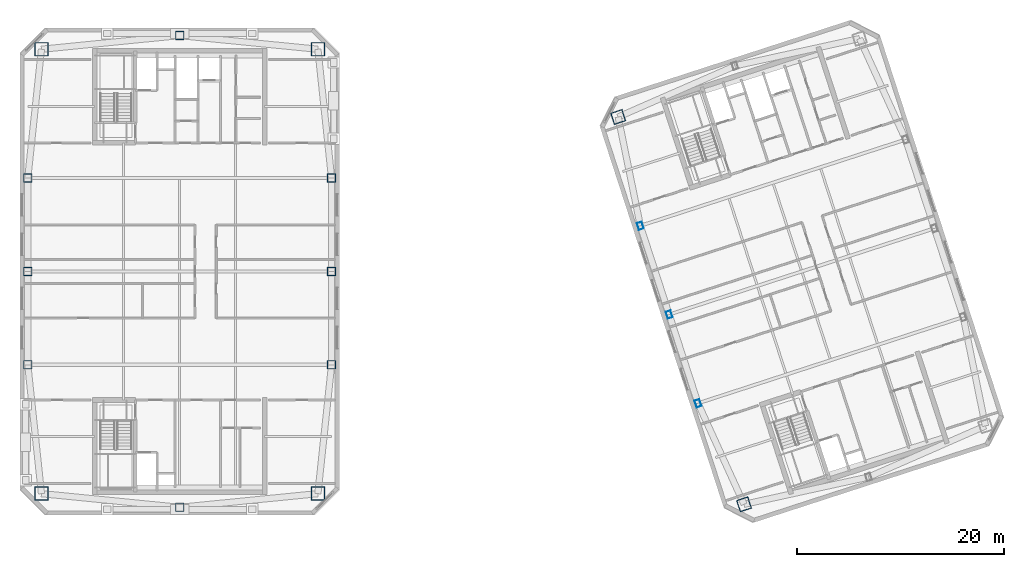
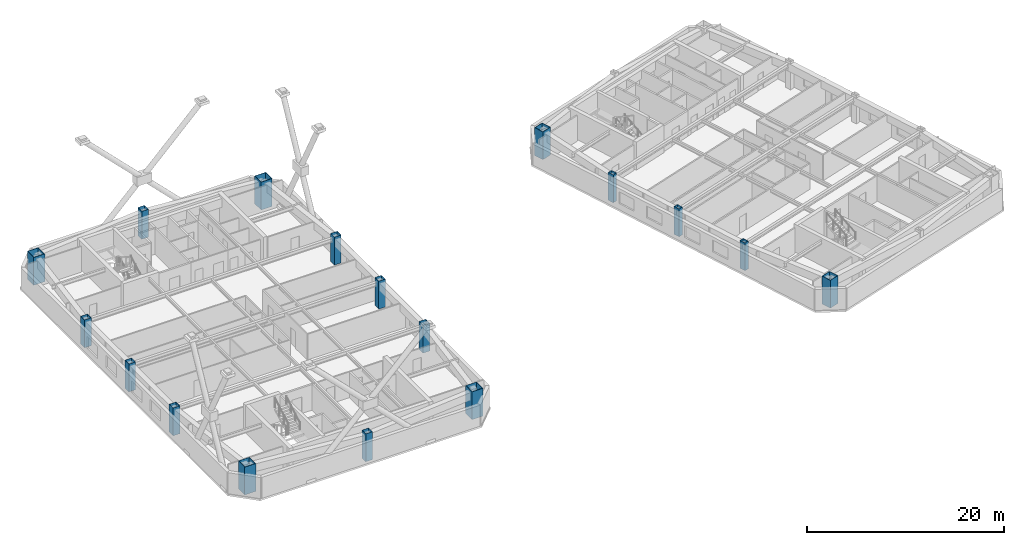
# One storey, part 1 of 20: 17 columns.
"""IFC4 building model written with IfcOpenShell, lengths in metres."""

import ifcopenshell
import ifcopenshell.guid

model = None  # the IFC model being written
_history = None  # IfcOwnerHistory: only IFC2X3 demands one
_inside = {}  # id of a spatial element -> (the spatial element, [elements in it])
_under = {}  # id of a project, library or spatial element -> (it, [spatial elements below it])
_declared = {}  # id of a project -> (the project, [libraries it declares])
_typed = {}  # id of a type object -> (the type object, [elements of that type])
_made_of = {}  # id of a material, layer set ... -> (it, [elements and type objects made of it])


def new_model(schema):
    """Start an empty IFC model of exactly this schema.

    Asked for "IFC4X3", IfcOpenShell would pick the latest addendum, in which some entities
    have other attributes; the version numbers below select the first issue.
    IFC2X3 requires an IfcOwnerHistory on every rooted entity: one is made here for all.
    """
    global model, _history
    if schema == "IFC4X3":
        model = ifcopenshell.file(schema_version=(4, 3, 0, 0))
    else:
        model = ifcopenshell.file(schema=schema)
    _inside.clear()
    _under.clear()
    _declared.clear()
    _typed.clear()
    _made_of.clear()
    _history = None
    if model.schema == "IFC2X3":
        org = make("IfcOrganization", Name="unknown")
        user = make(
            "IfcPersonAndOrganization",
            ThePerson=make("IfcPerson", FamilyName="unknown"),
            TheOrganization=org,
        )
        app = make(
            "IfcApplication",
            ApplicationDeveloper=org,
            Version="unknown",
            ApplicationFullName="unknown",
            ApplicationIdentifier="unknown",
        )
        _history = make(
            "IfcOwnerHistory",
            OwningUser=user,
            OwningApplication=app,
            ChangeAction="ADDED",
            CreationDate=0,
        )
    return model


def make(cls, **values):
    """One entity of the class cls with the attributes given. An attribute that is None is left unset."""
    return model.create_entity(
        cls, **{name: value for name, value in values.items() if value is not None}
    )


def rooted(cls, **values):
    """An entity with a GlobalId (a new one), such as an element, a storey or a relation."""
    return make(cls, GlobalId=ifcopenshell.guid.new(), OwnerHistory=_history, **values)


def si_unit(unit_type, name, prefix=None):
    """IfcSIUnit, for example si_unit("LENGTHUNIT", "METRE", prefix="MILLI")."""
    return make("IfcSIUnit", UnitType=unit_type, Prefix=prefix, Name=name)


def assignment(units):
    """IfcUnitAssignment: the units of a project."""
    return None if units is None else make("IfcUnitAssignment", Units=units)


def point(xyz):
    """IfcCartesianPoint."""
    return None if xyz is None else make("IfcCartesianPoint", Coordinates=xyz)


def direction(xyz):
    """IfcDirection."""
    return None if xyz is None else make("IfcDirection", DirectionRatios=xyz)


def frame(location, z_axis=None, x_axis=None):
    """IfcAxis2Placement3D, a coordinate frame: its origin and axes. An axis left out is left unset."""
    return make(
        "IfcAxis2Placement3D",
        Location=point(location),
        Axis=direction(z_axis),
        RefDirection=direction(x_axis),
    )


def frame_2d(location, x_axis=None):
    """IfcAxis2Placement2D, a coordinate frame in the plane: its origin and x axis."""
    return make(
        "IfcAxis2Placement2D", Location=point(location), RefDirection=direction(x_axis)
    )


def origin():
    """The frame at (0, 0, 0) with its axes left unset."""
    return frame((0.0, 0.0, 0.0))


def origin_2d():
    """The frame at (0, 0) in the plane with its x axis left unset."""
    return frame_2d((0.0, 0.0))


def place(relative_to, where):
    """IfcLocalPlacement: puts the frame where relative to a parent placement (None: the world)."""
    return make(
        "IfcLocalPlacement", PlacementRelTo=relative_to, RelativePlacement=where
    )


def context(
    kind, dimensions, precision=None, world=None, true_north=None, identifier=None
):
    """IfcGeometricRepresentationContext, for example the 3D "Model" context."""
    return make(
        "IfcGeometricRepresentationContext",
        ContextIdentifier=identifier,
        ContextType=kind,
        CoordinateSpaceDimension=dimensions,
        Precision=precision,
        WorldCoordinateSystem=world,
        TrueNorth=true_north,
    )


def subcontext(parent, identifier, kind, view, scale=None):
    """IfcGeometricRepresentationSubContext, for example "Body" below "Model"."""
    return make(
        "IfcGeometricRepresentationSubContext",
        ContextIdentifier=identifier,
        ContextType=kind,
        ParentContext=parent,
        TargetScale=scale,
        TargetView=view,
    )


def project(units=None, contexts=None):
    """IfcProject with its units and contexts."""
    return rooted(
        "IfcProject",
        Name="project",
        RepresentationContexts=contexts,
        UnitsInContext=assignment(units),
    )


def spatial(cls, under=None, at=None, **own):
    """A site, building, storey or space (cls), placed at a placement, below another one or the project."""
    s = rooted(cls, ObjectPlacement=at, **own)
    if under is not None:
        _under.setdefault(under.id(), (under, []))[1].append(s)
    return s


def profile(cls, at=None, kind="AREA", **sizes):
    """A parametric profile (cls). Its sizes go by their IFC names, for example OverallWidth=200.0."""
    return make(cls, ProfileType=kind, Position=at, **sizes)


def hollow_rectangle(**sizes):
    """IfcRectangleHollowProfileDef."""
    return profile("IfcRectangleHollowProfileDef", **sizes)


def extrude(swept, where, along, depth):
    """IfcExtrudedAreaSolid: the profile swept, set in the frame where, extruded along a direction by depth."""
    return make(
        "IfcExtrudedAreaSolid",
        SweptArea=swept,
        Position=where,
        ExtrudedDirection=direction(along),
        Depth=depth,
    )


def shape(context_of_items, identifier, shape_type, items):
    """IfcShapeRepresentation: the items that make up one representation, for example the "Body"."""
    return make(
        "IfcShapeRepresentation",
        ContextOfItems=context_of_items,
        RepresentationIdentifier=identifier,
        RepresentationType=shape_type,
        Items=items,
    )


def material(Name=None, Category=None):
    """IfcMaterial."""
    return make("IfcMaterial", Name=Name, Category=Category)


def material_profile(
    of_material, cross_section, Name=None, Category=None, Priority=None
):
    """IfcMaterialProfile: a cross section and its material."""
    return make(
        "IfcMaterialProfile",
        Name=Name,
        Material=of_material,
        Profile=cross_section,
        Priority=Priority,
        Category=Category,
    )


def profile_set(profiles, Name=None, composite=None):
    """IfcMaterialProfileSet."""
    return make(
        "IfcMaterialProfileSet",
        Name=Name,
        MaterialProfiles=profiles,
        CompositeProfile=composite,
    )


def made_of(thing, what):
    """Note that an element or type object is made of a material, layer set ...; save() writes the relation."""
    if what is not None:
        _made_of.setdefault(what.id(), (what, []))[1].append(thing)
    return thing


def type_object(cls, material=None, **own):
    """A type object (cls), such as IfcWallType, which elements share."""
    return made_of(rooted(cls, **own), material)


def element(
    cls,
    number,
    at=None,
    inside=None,
    cuts=None,
    type_object=None,
    material=None,
    context=None,
    identifier="Body",
    shape_type=None,
    held_by="IfcProductDefinitionShape",
    body=None,
    shapes=None,
    **own,
):
    """One element of the class cls, such as IfcWall. Its Tag is "e" and its number.

    at: its placement. inside: the storey or other place that contains it. cuts: it is an
    opening in that element (IfcRelVoidsElement). A single representation is given by context,
    identifier, shape_type and body (its items); several are given by shapes. held_by: the class
    of the entity that holds the representations. save() writes the other relations.
    """
    e = rooted(cls, Tag="e%d" % number, ObjectPlacement=at, **own)
    if body is not None:
        shapes = [shape(context, identifier, shape_type, body)]
    if shapes is not None:
        e.Representation = make(held_by, Representations=shapes)
    if inside is not None:
        _inside.setdefault(inside.id(), (inside, []))[1].append(e)
    if cuts is not None:
        rooted(
            "IfcRelVoidsElement", RelatingBuildingElement=cuts, RelatedOpeningElement=e
        )
    if type_object is not None:
        _typed.setdefault(type_object.id(), (type_object, []))[1].append(e)
    return made_of(e, material)


def aggregate(whole, parts):
    """IfcRelAggregates: a whole, such as a stair, and the parts it consists of."""
    return rooted("IfcRelAggregates", RelatingObject=whole, RelatedObjects=parts)


def save(model, path):
    """Write the relations noted so far, then the file.

    IfcRelAggregates (storeys below a building ...), IfcRelContainedInSpatialStructure (elements
    in a storey), IfcRelDefinesByType, IfcRelAssociatesMaterial and IfcRelDeclares: one each for
    every whole, place, type object, material and project.
    """
    for whole, parts in _under.values():
        aggregate(whole, parts)
    for where, things in _inside.values():
        rooted(
            "IfcRelContainedInSpatialStructure",
            RelatedElements=things,
            RelatingStructure=where,
        )
    for kind, things in _typed.values():
        rooted("IfcRelDefinesByType", RelatedObjects=things, RelatingType=kind)
    for what, things in _made_of.values():
        rooted("IfcRelAssociatesMaterial", RelatedObjects=things, RelatingMaterial=what)
    for by, libraries in _declared.values():
        rooted("IfcRelDeclares", RelatingContext=by, RelatedDefinitions=libraries)
    model.write(path)


model = new_model("IFC4")

# Units and contexts
model_context = context("Model", 3, precision=1e-05, world=origin(), true_north=direction((0.0, 1.0)))
body_context = subcontext(model_context, "Body", "Model", "MODEL_VIEW")
ifc_project = project(units=[si_unit("LENGTHUNIT", "METRE"), si_unit("AREAUNIT", "SQUARE_METRE"), si_unit("VOLUMEUNIT", "CUBIC_METRE"), si_unit("PLANEANGLEUNIT", "RADIAN"), si_unit("MASSUNIT", "GRAM", prefix="KILO")], contexts=[model_context])

# Site, building, storey
site_placement = place(None, origin())
site = spatial("IfcSite", under=ifc_project, at=site_placement, CompositionType="ELEMENT")
building_placement = place(site_placement, origin())
building = spatial("IfcBuilding", under=site, at=building_placement, Name="Qiaolan Cultural Towers", CompositionType="ELEMENT")
storey_placement = place(building_placement, frame((0.0, 0.0, 223.10009765625)))
storey = spatial("IfcBuildingStorey", under=building, at=storey_placement, Name="L60", CompositionType="ELEMENT", Elevation=223.10009765625)

# Columns
ifc_material_1 = material(Name="Steel Q390GJB", Category="steel")
ifc_material_profile_1 = material_profile(ifc_material_1, hollow_rectangle(XDim=1.14990234375, YDim=1.14990234375, WallThickness=0.0400390625, at=origin_2d()), Name="BOX1150x1150x40")
ifc_profile_set_1 = profile_set([ifc_material_profile_1], Name="Steel Q390GJB")
column_type_1 = type_object("IfcColumnType", Name="COL-BOX1150x1150x40", PredefinedType="COLUMN", material=ifc_profile_set_1)
for number, where, z_axis, x_axis, name in (
    (1, (84.42822265625, 11.538818359375, 0.0), (0.0, 0.0, 1.0), (0.951056516295, 0.309016994375, 0.0), "L60 T2 Perimeter Column MC-SW"),
    (2, (72.2900390625, 48.896484375, 0.0), (0.0, 0.0, 1.0), (0.951056516295, 0.309016994375, 0.0), "L60 T2 Perimeter Column MC-NW"),
):
    element("IfcColumn", number, at=place(storey_placement, frame(where, z_axis=z_axis, x_axis=x_axis)), inside=storey, type_object=column_type_1, Name=name, PredefinedType="COLUMN", context=body_context, shape_type="SweptSolid", body=[
        extrude(hollow_rectangle(XDim=1.14990234375, YDim=1.14990234375, WallThickness=0.0400390625, at=origin_2d()), origin(), (0.0, 0.0, 1.0), 3.450927734375),
    ])
ifc_material_2 = material(Name="Steel Q390GJB", Category="steel")
ifc_material_profile_2 = material_profile(ifc_material_2, hollow_rectangle(XDim=1.300048828125, YDim=1.300048828125, WallThickness=0.044921875, at=origin_2d()), Name="BOX1300x1300x45")
ifc_profile_set_2 = profile_set([ifc_material_profile_2], Name="Steel Q390GJB")
column_type_2 = type_object("IfcColumnType", Name="COL-BOX1300x1300x45", PredefinedType="COLUMN", material=ifc_profile_set_2)
for number, where, z_axis, x_axis, name in (
    (3, (16.669921875, 12.570068359375, 0.0), (0.0, 0.0, 1.0), (1.0, 0.0, 0.0), "L60 T1 Perimeter Column MC-SW"),
    (4, (43.330078125, 12.570068359375, 0.0), (0.0, 0.0, 1.0), (1.0, 0.0, 0.0), "L60 T1 Perimeter Column MC-SE"),
    (5, (43.330078125, 55.429931640625, 0.0), (0.0, 0.0, 1.0), (1.0, 0.0, 0.0), "L60 T1 Perimeter Column MC-NE"),
    (6, (16.669921875, 55.429931640625, 0.0), (0.0, 0.0, 1.0), (1.0, 0.0, 0.0), "L60 T1 Perimeter Column MC-NW"),
):
    element("IfcColumn", number, at=place(storey_placement, frame(where, z_axis=z_axis, x_axis=x_axis)), inside=storey, type_object=column_type_2, Name=name, PredefinedType="COLUMN", context=body_context, shape_type="SweptSolid", body=[
        extrude(hollow_rectangle(XDim=1.300048828125, YDim=1.300048828125, WallThickness=0.044921875, at=origin_2d()), origin(), (0.0, 0.0, 1.0), 3.450927734375),
    ])
ifc_material_3 = material(Name="Steel Q355B", Category="steel")
ifc_material_profile_3 = material_profile(ifc_material_3, hollow_rectangle(XDim=0.5, YDim=0.699951171875, WallThickness=0.02490234375, at=origin_2d()), Name="BOX700x500x25")
ifc_profile_set_3 = profile_set([ifc_material_profile_3], Name="Steel Q355B")
column_type_3 = type_object("IfcColumnType", Name="COL-BOX700x500x25", PredefinedType="COLUMN", material=ifc_profile_set_3)
for number, where, z_axis, x_axis, name in (
    (7, (79.989501953125, 21.2841796875, 0.0), (0.0, 0.0, 1.0), (0.951056516295, 0.309016994375, 0.0), "L60 T2 Perimeter Column PC-W1"),
    (8, (77.208251953125, 29.84375, 0.0), (0.0, 0.0, 1.0), (0.951056516295, 0.309016994375, 0.0), "L60 T2 Perimeter Column PC-W2"),
    (9, (74.42724609375, 38.4033203125, 0.0), (0.0, 0.0, 1.0), (0.951056516295, 0.309016994375, 0.0), "L60 T2 Perimeter Column PC-W3"),
):
    element("IfcColumn", number, at=place(storey_placement, frame(where, z_axis=z_axis, x_axis=x_axis)), inside=storey, type_object=column_type_3, Name=name, PredefinedType="COLUMN", context=body_context, shape_type="SweptSolid", body=[
        extrude(hollow_rectangle(XDim=0.5, YDim=0.699951171875, WallThickness=0.02490234375, at=origin_2d()), origin(), (0.0, 0.0, 1.0), 3.450927734375),
    ])
ifc_material_4 = material(Name="Steel Q355B", Category="steel")
ifc_material_profile_4 = material_profile(ifc_material_4, hollow_rectangle(XDim=0.800048828125, YDim=0.800048828125, WallThickness=0.028076171875, at=origin_2d()), Name="BOX800x800x28")
ifc_profile_set_4 = profile_set([ifc_material_profile_4], Name="Steel Q355B")
column_type_4 = type_object("IfcColumnType", Name="COL-BOX800x800x28", PredefinedType="COLUMN", material=ifc_profile_set_4)
for number, where, z_axis, x_axis, name in (
    (10, (15.35009765625, 25.0, 0.0), (0.0, 0.0, 1.0), (1.0, 0.0, 0.0), "L60 T1 Perimeter Column PC-W1"),
    (11, (15.35009765625, 34.0, 0.0), (0.0, 0.0, 1.0), (1.0, 0.0, 0.0), "L60 T1 Perimeter Column PC-W2"),
    (12, (15.35009765625, 43.0, 0.0), (0.0, 0.0, 1.0), (1.0, 0.0, 0.0), "L60 T1 Perimeter Column PC-W3"),
    (13, (44.64990234375, 25.0, 0.0), (0.0, 0.0, 1.0), (1.0, 0.0, 0.0), "L60 T1 Perimeter Column PC-E1"),
    (14, (44.64990234375, 34.0, 0.0), (0.0, 0.0, 1.0), (1.0, 0.0, 0.0), "L60 T1 Perimeter Column PC-E2"),
    (15, (44.64990234375, 43.0, 0.0), (0.0, 0.0, 1.0), (1.0, 0.0, 0.0), "L60 T1 Perimeter Column PC-E3"),
    (16, (30.0, 11.25, 0.0), (0.0, 0.0, 1.0), (1.0, 0.0, 0.0), "L60 T1 Perimeter Column PC-S0"),
    (17, (30.0, 56.75, 0.0), (0.0, 0.0, 1.0), (1.0, 0.0, 0.0), "L60 T1 Perimeter Column PC-N0"),
):
    element("IfcColumn", number, at=place(storey_placement, frame(where, z_axis=z_axis, x_axis=x_axis)), inside=storey, type_object=column_type_4, Name=name, PredefinedType="COLUMN", context=body_context, shape_type="SweptSolid", body=[
        extrude(hollow_rectangle(XDim=0.800048828125, YDim=0.800048828125, WallThickness=0.028076171875, at=origin_2d()), origin(), (0.0, 0.0, 1.0), 3.450927734375),
    ])

save(model, "model.ifc")
